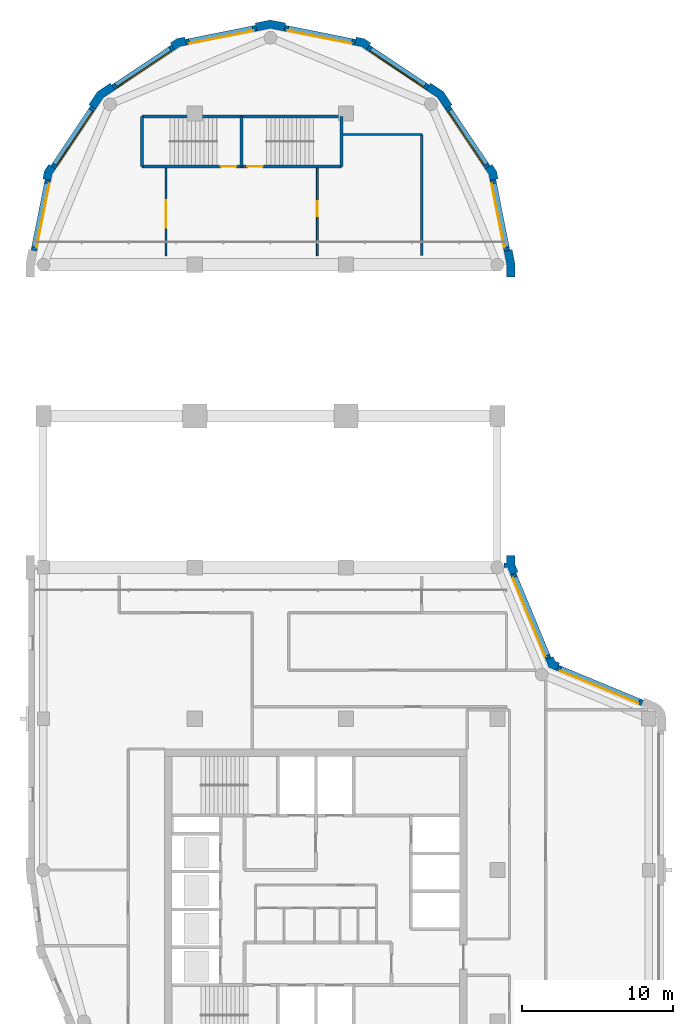
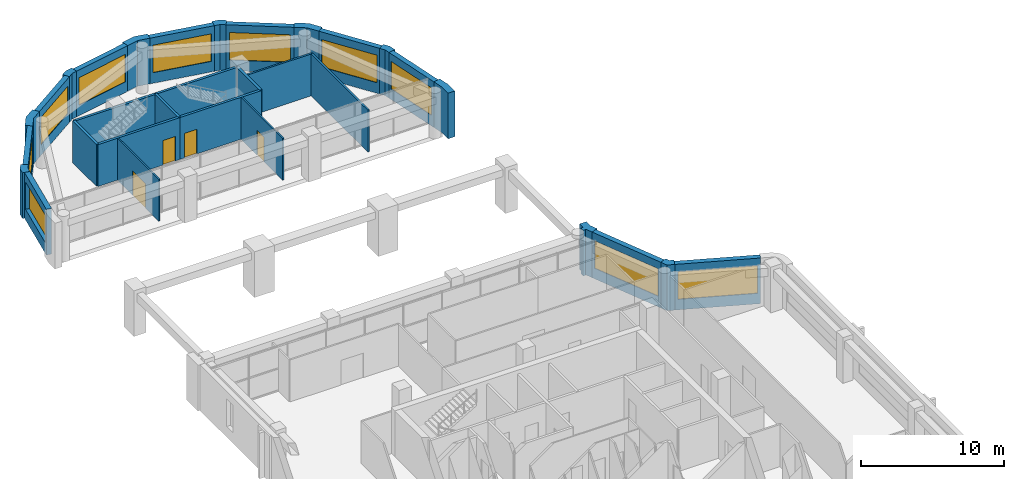
# One storey, part 8 of 11: 31 walls, 10 windows, 4 doors, 14 openings.
"""IFC4 building model written with IfcOpenShell, lengths in metres."""

from ifc_helpers import new_model, si_unit, direction, frame, frame_2d, origin, place, context, subcontext, project, spatial, polyline, rectangle, outline, extrude, material, layer, layer_set, type_object, element, fill, save


model = new_model("IFC4")

# Units and contexts
model_context = context("Model", 3, precision=1e-05, world=origin(), true_north=direction((0.0, 1.0)))
body_context = subcontext(model_context, "Body", "Model", "MODEL_VIEW")
ifc_project = project(units=[si_unit("LENGTHUNIT", "METRE"), si_unit("AREAUNIT", "SQUARE_METRE"), si_unit("VOLUMEUNIT", "CUBIC_METRE"), si_unit("PLANEANGLEUNIT", "RADIAN"), si_unit("MASSUNIT", "GRAM", prefix="KILO")], contexts=[model_context])

# Site, building, storey
site_placement = place(None, origin())
site = spatial("IfcSite", under=ifc_project, at=site_placement, CompositionType="ELEMENT")
building_placement = place(site_placement, origin())
building = spatial("IfcBuilding", under=site, at=building_placement, Name="Qaws Garden Tower", CompositionType="ELEMENT")
storey_placement = place(building_placement, frame((0.0, 0.0, 321.60009765625)))
storey = spatial("IfcBuildingStorey", under=building, at=storey_placement, Name="L78", CompositionType="ELEMENT", Elevation=321.60009765625)

# Wall, opening, window
ifc_material_1 = material(Name="Clay facing brick masonry", Category="masonry")
ifc_layer_1 = layer(ifc_material_1, 0.39990234375)
ifc_layer_set_1 = layer_set([ifc_layer_1], Name="Clay facing brick masonry")
wall_type_1 = type_object("IfcWallType", Name="Brick infill wall 400", PredefinedType="SOLIDWALL", material=ifc_layer_set_1)
wall_1_placement = place(storey_placement, frame((39.56689453125, 31.04541015625, 0.0), z_axis=(0.0, 0.0, 1.0), x_axis=(-0.923891000409, 0.382655745237, 0.0)))
wall_1 = element("IfcWall", 1, at=wall_1_placement, inside=storey, type_object=wall_type_1, Name="E-L78-infill-05", PredefinedType="SOLIDWALL", context=body_context, shape_type="SweptSolid", body=[
    extrude(rectangle(XDim=6.053466796875, YDim=0.39990234375, at=frame_2d((3.02685546875, 0.0))), origin(), (0.0, 0.0, 1.0), 3.89990234375),
])
opening_1_placement = place(wall_1_placement, frame((0.226806640625, 0.0, 0.89990234375)))
opening_1 = element("IfcOpeningElement", 2, at=opening_1_placement, cuts=wall_1, Name="Opening W04", PredefinedType="OPENING", context=body_context, shape_type="SweptSolid", body=[
    extrude(rectangle(XDim=5.60009765625, YDim=2.35009765625, at=frame_2d((2.800048828125, 1.175048828125))), frame((0.0, 0.2099609375, 0.0), z_axis=(0.0, -1.0, 0.0), x_axis=(1.0, 0.0, 0.0)), (0.0, 0.0, 1.0), 0.419921875),
])
ifc_material_2 = material(Name="Aluminium framed window, clear glazing", Category="aluminium")
window_type_1 = type_object("IfcWindowType", Name="Ribbon window 5600 x 2350", PartitioningType="DOUBLE_PANEL_VERTICAL", PredefinedType="WINDOW", material=ifc_material_2)
window_1_placement = place(opening_1_placement, origin())
window_1 = element("IfcWindow", 3, at=window_1_placement, inside=storey, type_object=window_type_1, Name="E-L78-window-05-0", OverallHeight=2.35009765625, OverallWidth=5.60009765625, PartitioningType="SINGLE_PANEL", PredefinedType="WINDOW", context=body_context, shape_type="SweptSolid", body=[
    extrude(rectangle(XDim=5.60009765625, YDim=2.35009765625, at=frame_2d((2.800048828125, 1.175048828125))), frame((0.0, 0.159912109375, 0.0), z_axis=(0.0, -1.0, 0.0), x_axis=(1.0, 0.0, 0.0)), (0.0, 0.0, 1.0), 0.06005859375),
])
fill(opening_1, window_1)

wall_2_placement = place(storey_placement, frame((33.36181640625, 33.97412109375, 0.0), z_axis=(0.0, 0.0, 1.0), x_axis=(-0.382655745237, 0.923891000409, 0.0)))
wall_2 = element("IfcWall", 4, at=wall_2_placement, inside=storey, type_object=wall_type_1, Name="E-L78-infill-06", PredefinedType="SOLIDWALL", context=body_context, shape_type="SweptSolid", body=[
    extrude(rectangle(XDim=6.053466796875, YDim=0.39990234375, at=frame_2d((3.02685546875, 0.0))), origin(), (0.0, 0.0, 1.0), 3.89990234375),
])
opening_2_placement = place(wall_2_placement, frame((0.226806640625, 0.0, 0.89990234375)))
opening_2 = element("IfcOpeningElement", 5, at=opening_2_placement, cuts=wall_2, Name="Opening W04", PredefinedType="OPENING", context=body_context, shape_type="SweptSolid", body=[
    extrude(rectangle(XDim=5.60009765625, YDim=2.35009765625, at=frame_2d((2.800048828125, 1.175048828125))), frame((0.0, 0.2099609375, 0.0), z_axis=(0.0, -1.0, 0.0), x_axis=(1.0, 0.0, 0.0)), (0.0, 0.0, 1.0), 0.419921875),
])
window_2_placement = place(opening_2_placement, origin())
window_2 = element("IfcWindow", 6, at=window_2_placement, inside=storey, type_object=window_type_1, Name="E-L78-window-06-0", OverallHeight=2.35009765625, OverallWidth=5.60009765625, PartitioningType="SINGLE_PANEL", PredefinedType="WINDOW", context=body_context, shape_type="SweptSolid", body=[
    extrude(rectangle(XDim=5.60009765625, YDim=2.35009765625, at=frame_2d((2.800048828125, 1.175048828125))), frame((0.0, 0.159912109375, 0.0), z_axis=(0.0, -1.0, 0.0), x_axis=(1.0, 0.0, 0.0)), (0.0, 0.0, 1.0), 0.06005859375),
])
fill(opening_2, window_2)

wall_3_placement = place(storey_placement, frame((30.628662109375, 60.940673828125, 0.0), z_axis=(0.0, 0.0, 1.0), x_axis=(-0.195098533057, 0.98078364709, 0.0)))
wall_3 = element("IfcWall", 7, at=wall_3_placement, inside=storey, type_object=wall_type_1, Name="E-L78-infill-09", PredefinedType="SOLIDWALL", context=body_context, shape_type="SweptSolid", body=[
    extrude(rectangle(XDim=4.752685546875, YDim=0.39990234375, at=frame_2d((2.37646484375, 0.0))), origin(), (0.0, 0.0, 1.0), 3.89990234375),
])
opening_3_placement = place(wall_3_placement, frame((0.226318359375, 0.0, 0.89990234375)))
opening_3 = element("IfcOpeningElement", 8, at=opening_3_placement, cuts=wall_3, Name="Opening W06", PredefinedType="OPENING", context=body_context, shape_type="SweptSolid", body=[
    extrude(rectangle(XDim=4.300048828125, YDim=2.35009765625, at=frame_2d((2.14990234375, 1.175048828125))), frame((0.0, 0.2099609375, 0.0), z_axis=(0.0, -1.0, 0.0), x_axis=(1.0, 0.0, 0.0)), (0.0, 0.0, 1.0), 0.419921875),
])
ifc_material_3 = material(Name="Aluminium framed window, clear glazing", Category="aluminium")
window_type_2 = type_object("IfcWindowType", Name="Ribbon window 4300 x 2350", PartitioningType="DOUBLE_PANEL_VERTICAL", PredefinedType="WINDOW", material=ifc_material_3)
window_3_placement = place(opening_3_placement, origin())
window_3 = element("IfcWindow", 9, at=window_3_placement, inside=storey, type_object=window_type_2, Name="E-L78-window-09-0", OverallHeight=2.35009765625, OverallWidth=4.300048828125, PartitioningType="SINGLE_PANEL", PredefinedType="WINDOW", context=body_context, shape_type="SweptSolid", body=[
    extrude(rectangle(XDim=4.300048828125, YDim=2.35009765625, at=frame_2d((2.14990234375, 1.175048828125))), frame((0.0, 0.159912109375, 0.0), z_axis=(0.0, -1.0, 0.0), x_axis=(1.0, 0.0, 0.0)), (0.0, 0.0, 1.0), 0.06005859375),
])
fill(opening_3, window_3)

wall_4_placement = place(storey_placement, frame((29.356689453125, 66.43408203125, 0.0), z_axis=(0.0, 0.0, 1.0), x_axis=(-0.555541552266, 0.831488775454, 0.0)))
wall_4 = element("IfcWall", 10, at=wall_4_placement, inside=storey, type_object=wall_type_1, Name="E-L78-infill-10", PredefinedType="SOLIDWALL", context=body_context, shape_type="SweptSolid", body=[
    extrude(rectangle(XDim=4.752685546875, YDim=0.39990234375, at=frame_2d((2.37646484375, 0.0))), origin(), (0.0, 0.0, 1.0), 3.89990234375),
])
opening_4_placement = place(wall_4_placement, frame((0.226318359375, 0.0, 0.89990234375)))
opening_4 = element("IfcOpeningElement", 11, at=opening_4_placement, cuts=wall_4, Name="Opening W06", PredefinedType="OPENING", context=body_context, shape_type="SweptSolid", body=[
    extrude(rectangle(XDim=4.300048828125, YDim=2.35009765625, at=frame_2d((2.14990234375, 1.175048828125))), frame((0.0, 0.2099609375, 0.0), z_axis=(0.0, -1.0, 0.0), x_axis=(1.0, 0.0, 0.0)), (0.0, 0.0, 1.0), 0.419921875),
])
window_4_placement = place(opening_4_placement, origin())
window_4 = element("IfcWindow", 12, at=window_4_placement, inside=storey, type_object=window_type_2, Name="E-L78-window-10-0", OverallHeight=2.35009765625, OverallWidth=4.300048828125, PartitioningType="SINGLE_PANEL", PredefinedType="WINDOW", context=body_context, shape_type="SweptSolid", body=[
    extrude(rectangle(XDim=4.300048828125, YDim=2.35009765625, at=frame_2d((2.14990234375, 1.175048828125))), frame((0.0, 0.159912109375, 0.0), z_axis=(0.0, -1.0, 0.0), x_axis=(1.0, 0.0, 0.0)), (0.0, 0.0, 1.0), 0.06005859375),
])
fill(opening_4, window_4)

wall_5_placement = place(storey_placement, frame((25.385986328125, 71.71630859375, 0.0), z_axis=(0.0, 0.0, 1.0), x_axis=(-0.831488775454, 0.555541552266, 0.0)))
wall_5 = element("IfcWall", 13, at=wall_5_placement, inside=storey, type_object=wall_type_1, Name="E-L78-infill-11", PredefinedType="SOLIDWALL", context=body_context, shape_type="SweptSolid", body=[
    extrude(rectangle(XDim=4.752685546875, YDim=0.39990234375, at=frame_2d((2.37646484375, 0.0))), origin(), (0.0, 0.0, 1.0), 3.89990234375),
])
opening_5_placement = place(wall_5_placement, frame((0.226318359375, 0.0, 0.89990234375)))
opening_5 = element("IfcOpeningElement", 14, at=opening_5_placement, cuts=wall_5, Name="Opening W06", PredefinedType="OPENING", context=body_context, shape_type="SweptSolid", body=[
    extrude(rectangle(XDim=4.300048828125, YDim=2.35009765625, at=frame_2d((2.14990234375, 1.175048828125))), frame((0.0, 0.2099609375, 0.0), z_axis=(0.0, -1.0, 0.0), x_axis=(1.0, 0.0, 0.0)), (0.0, 0.0, 1.0), 0.419921875),
])
window_5_placement = place(opening_5_placement, origin())
window_5 = element("IfcWindow", 15, at=window_5_placement, inside=storey, type_object=window_type_2, Name="E-L78-window-11-0", OverallHeight=2.35009765625, OverallWidth=4.300048828125, PartitioningType="SINGLE_PANEL", PredefinedType="WINDOW", context=body_context, shape_type="SweptSolid", body=[
    extrude(rectangle(XDim=4.300048828125, YDim=2.35009765625, at=frame_2d((2.14990234375, 1.175048828125))), frame((0.0, 0.159912109375, 0.0), z_axis=(0.0, -1.0, 0.0), x_axis=(1.0, 0.0, 0.0)), (0.0, 0.0, 1.0), 0.06005859375),
])
fill(opening_5, window_5)

wall_6_placement = place(storey_placement, frame((20.60205078125, 74.701416015625, 0.0), z_axis=(0.0, 0.0, 1.0), x_axis=(-0.98078364709, 0.195098533057, 0.0)))
wall_6 = element("IfcWall", 16, at=wall_6_placement, inside=storey, type_object=wall_type_1, Name="E-L78-infill-12", PredefinedType="SOLIDWALL", context=body_context, shape_type="SweptSolid", body=[
    extrude(rectangle(XDim=4.752685546875, YDim=0.39990234375, at=frame_2d((2.37646484375, 0.0))), origin(), (0.0, 0.0, 1.0), 3.89990234375),
])
opening_6_placement = place(wall_6_placement, frame((0.226318359375, 0.0, 0.89990234375)))
opening_6 = element("IfcOpeningElement", 17, at=opening_6_placement, cuts=wall_6, Name="Opening W06", PredefinedType="OPENING", context=body_context, shape_type="SweptSolid", body=[
    extrude(rectangle(XDim=4.300048828125, YDim=2.35009765625, at=frame_2d((2.14990234375, 1.175048828125))), frame((0.0, 0.2099609375, 0.0), z_axis=(0.0, -1.0, 0.0), x_axis=(1.0, 0.0, 0.0)), (0.0, 0.0, 1.0), 0.419921875),
])
window_6_placement = place(opening_6_placement, origin())
window_6 = element("IfcWindow", 18, at=window_6_placement, inside=storey, type_object=window_type_2, Name="E-L78-window-12-0", OverallHeight=2.35009765625, OverallWidth=4.300048828125, PartitioningType="SINGLE_PANEL", PredefinedType="WINDOW", context=body_context, shape_type="SweptSolid", body=[
    extrude(rectangle(XDim=4.300048828125, YDim=2.35009765625, at=frame_2d((2.14990234375, 1.175048828125))), frame((0.0, 0.159912109375, 0.0), z_axis=(0.0, -1.0, 0.0), x_axis=(1.0, 0.0, 0.0)), (0.0, 0.0, 1.0), 0.06005859375),
])
fill(opening_6, window_6)

wall_7_placement = place(storey_placement, frame((14.059326171875, 75.628662109375, 0.0), z_axis=(0.0, 0.0, 1.0), x_axis=(-0.98078364709, -0.195098533057, 0.0)))
wall_7 = element("IfcWall", 19, at=wall_7_placement, inside=storey, type_object=wall_type_1, Name="E-L78-infill-13", PredefinedType="SOLIDWALL", context=body_context, shape_type="SweptSolid", body=[
    extrude(rectangle(XDim=4.752685546875, YDim=0.39990234375, at=frame_2d((2.37646484375, 0.0))), origin(), (0.0, 0.0, 1.0), 3.89990234375),
])
opening_7_placement = place(wall_7_placement, frame((0.226318359375, 0.0, 0.89990234375)))
opening_7 = element("IfcOpeningElement", 20, at=opening_7_placement, cuts=wall_7, Name="Opening W06", PredefinedType="OPENING", context=body_context, shape_type="SweptSolid", body=[
    extrude(rectangle(XDim=4.300048828125, YDim=2.35009765625, at=frame_2d((2.14990234375, 1.175048828125))), frame((0.0, 0.2099609375, 0.0), z_axis=(0.0, -1.0, 0.0), x_axis=(1.0, 0.0, 0.0)), (0.0, 0.0, 1.0), 0.419921875),
])
window_7_placement = place(opening_7_placement, origin())
window_7 = element("IfcWindow", 21, at=window_7_placement, inside=storey, type_object=window_type_2, Name="E-L78-window-13-0", OverallHeight=2.35009765625, OverallWidth=4.300048828125, PartitioningType="SINGLE_PANEL", PredefinedType="WINDOW", context=body_context, shape_type="SweptSolid", body=[
    extrude(rectangle(XDim=4.300048828125, YDim=2.35009765625, at=frame_2d((2.14990234375, 1.175048828125))), frame((0.0, 0.159912109375, 0.0), z_axis=(0.0, -1.0, 0.0), x_axis=(1.0, 0.0, 0.0)), (0.0, 0.0, 1.0), 0.06005859375),
])
fill(opening_7, window_7)

wall_8_placement = place(storey_placement, frame((8.56591796875, 74.356689453125, 0.0), z_axis=(0.0, 0.0, 1.0), x_axis=(-0.831488775454, -0.555541552266, 0.0)))
wall_8 = element("IfcWall", 22, at=wall_8_placement, inside=storey, type_object=wall_type_1, Name="E-L78-infill-14", PredefinedType="SOLIDWALL", context=body_context, shape_type="SweptSolid", body=[
    extrude(rectangle(XDim=4.752685546875, YDim=0.39990234375, at=frame_2d((2.37646484375, 0.0))), origin(), (0.0, 0.0, 1.0), 3.89990234375),
])
opening_8_placement = place(wall_8_placement, frame((0.226318359375, 0.0, 0.89990234375)))
opening_8 = element("IfcOpeningElement", 23, at=opening_8_placement, cuts=wall_8, Name="Opening W06", PredefinedType="OPENING", context=body_context, shape_type="SweptSolid", body=[
    extrude(rectangle(XDim=4.300048828125, YDim=2.35009765625, at=frame_2d((2.14990234375, 1.175048828125))), frame((0.0, 0.2099609375, 0.0), z_axis=(0.0, -1.0, 0.0), x_axis=(1.0, 0.0, 0.0)), (0.0, 0.0, 1.0), 0.419921875),
])
window_8_placement = place(opening_8_placement, origin())
window_8 = element("IfcWindow", 24, at=window_8_placement, inside=storey, type_object=window_type_2, Name="E-L78-window-14-0", OverallHeight=2.35009765625, OverallWidth=4.300048828125, PartitioningType="SINGLE_PANEL", PredefinedType="WINDOW", context=body_context, shape_type="SweptSolid", body=[
    extrude(rectangle(XDim=4.300048828125, YDim=2.35009765625, at=frame_2d((2.14990234375, 1.175048828125))), frame((0.0, 0.159912109375, 0.0), z_axis=(0.0, -1.0, 0.0), x_axis=(1.0, 0.0, 0.0)), (0.0, 0.0, 1.0), 0.06005859375),
])
fill(opening_8, window_8)

wall_9_placement = place(storey_placement, frame((3.28369140625, 70.385986328125, 0.0), z_axis=(0.0, 0.0, 1.0), x_axis=(-0.555541552266, -0.831488775454, 0.0)))
wall_9 = element("IfcWall", 25, at=wall_9_placement, inside=storey, type_object=wall_type_1, Name="E-L78-infill-15", PredefinedType="SOLIDWALL", context=body_context, shape_type="SweptSolid", body=[
    extrude(rectangle(XDim=4.752685546875, YDim=0.39990234375, at=frame_2d((2.37646484375, 0.0))), origin(), (0.0, 0.0, 1.0), 3.89990234375),
])
opening_9_placement = place(wall_9_placement, frame((0.226318359375, 0.0, 0.89990234375)))
opening_9 = element("IfcOpeningElement", 26, at=opening_9_placement, cuts=wall_9, Name="Opening W06", PredefinedType="OPENING", context=body_context, shape_type="SweptSolid", body=[
    extrude(rectangle(XDim=4.300048828125, YDim=2.35009765625, at=frame_2d((2.14990234375, 1.175048828125))), frame((0.0, 0.2099609375, 0.0), z_axis=(0.0, -1.0, 0.0), x_axis=(1.0, 0.0, 0.0)), (0.0, 0.0, 1.0), 0.419921875),
])
window_9_placement = place(opening_9_placement, origin())
window_9 = element("IfcWindow", 27, at=window_9_placement, inside=storey, type_object=window_type_2, Name="E-L78-window-15-0", OverallHeight=2.35009765625, OverallWidth=4.300048828125, PartitioningType="SINGLE_PANEL", PredefinedType="WINDOW", context=body_context, shape_type="SweptSolid", body=[
    extrude(rectangle(XDim=4.300048828125, YDim=2.35009765625, at=frame_2d((2.14990234375, 1.175048828125))), frame((0.0, 0.159912109375, 0.0), z_axis=(0.0, -1.0, 0.0), x_axis=(1.0, 0.0, 0.0)), (0.0, 0.0, 1.0), 0.06005859375),
])
fill(opening_9, window_9)

wall_10_placement = place(storey_placement, frame((0.298583984375, 65.60205078125, 0.0), z_axis=(0.0, 0.0, 1.0), x_axis=(-0.195098533057, -0.98078364709, 0.0)))
wall_10 = element("IfcWall", 28, at=wall_10_placement, inside=storey, type_object=wall_type_1, Name="E-L78-infill-16", PredefinedType="SOLIDWALL", context=body_context, shape_type="SweptSolid", body=[
    extrude(rectangle(XDim=4.752685546875, YDim=0.39990234375, at=frame_2d((2.37646484375, 0.0))), origin(), (0.0, 0.0, 1.0), 3.89990234375),
])
opening_10_placement = place(wall_10_placement, frame((0.226318359375, 0.0, 0.89990234375)))
opening_10 = element("IfcOpeningElement", 29, at=opening_10_placement, cuts=wall_10, Name="Opening W06", PredefinedType="OPENING", context=body_context, shape_type="SweptSolid", body=[
    extrude(rectangle(XDim=4.300048828125, YDim=2.35009765625, at=frame_2d((2.14990234375, 1.175048828125))), frame((0.0, 0.2099609375, 0.0), z_axis=(0.0, -1.0, 0.0), x_axis=(1.0, 0.0, 0.0)), (0.0, 0.0, 1.0), 0.419921875),
])
window_10_placement = place(opening_10_placement, origin())
window_10 = element("IfcWindow", 30, at=window_10_placement, inside=storey, type_object=window_type_2, Name="E-L78-window-16-0", OverallHeight=2.35009765625, OverallWidth=4.300048828125, PartitioningType="SINGLE_PANEL", PredefinedType="WINDOW", context=body_context, shape_type="SweptSolid", body=[
    extrude(rectangle(XDim=4.300048828125, YDim=2.35009765625, at=frame_2d((2.14990234375, 1.175048828125))), frame((0.0, 0.159912109375, 0.0), z_axis=(0.0, -1.0, 0.0), x_axis=(1.0, 0.0, 0.0)), (0.0, 0.0, 1.0), 0.06005859375),
])
fill(opening_10, window_10)

# Walls
ifc_material_4 = material(Name="Clay facing brick masonry", Category="masonry")
ifc_layer_2 = layer(ifc_material_4, 0.550048828125)
ifc_layer_set_2 = layer_set([ifc_layer_2], Name="Clay facing brick masonry")
wall_type_2 = type_object("IfcWallType", Name="Brick kink pier 550 x 600", PredefinedType="SOLIDWALL", material=ifc_layer_set_2)
placement = place(storey_placement, origin())
element("IfcWall", 31, at=placement, inside=storey, type_object=wall_type_2, Name="E-L78-pier-10", PredefinedType="SOLIDWALL", context=body_context, shape_type="SweptSolid", body=[
    extrude(outline(polyline([(29.8974609375, 65.64111328125), (30.044677734375, 65.67041015625), (29.94140625, 66.18896484375), (29.647705078125, 66.628662109375), (29.52294921875, 66.545166015625), (29.1904296875, 66.322998046875), (29.42333984375, 65.974365234375), (29.505126953125, 65.56298828125), (29.8974609375, 65.64111328125)])), origin(), (0.0, 0.0, 1.0), 3.89990234375),
])
element("IfcWall", 32, at=placement, inside=storey, type_object=wall_type_2, Name="E-L78-pier-12", PredefinedType="SOLIDWALL", context=body_context, shape_type="SweptSolid", body=[
    extrude(outline(polyline([(21.545166015625, 74.52294921875), (21.628662109375, 74.647705078125), (21.18896484375, 74.94140625), (20.67041015625, 75.044677734375), (20.64111328125, 74.8974609375), (20.56298828125, 74.505126953125), (20.974365234375, 74.42333984375), (21.322998046875, 74.1904296875), (21.545166015625, 74.52294921875)])), origin(), (0.0, 0.0, 1.0), 3.89990234375),
])
element("IfcWall", 33, at=placement, inside=storey, type_object=wall_type_2, Name="E-L78-pier-14", PredefinedType="SOLIDWALL", context=body_context, shape_type="SweptSolid", body=[
    extrude(outline(polyline([(9.35888671875, 74.8974609375), (9.32958984375, 75.044677734375), (8.81103515625, 74.94140625), (8.371337890625, 74.647705078125), (8.454833984375, 74.52294921875), (8.677001953125, 74.1904296875), (9.025634765625, 74.42333984375), (9.43701171875, 74.505126953125), (9.35888671875, 74.8974609375)])), origin(), (0.0, 0.0, 1.0), 3.89990234375),
])
element("IfcWall", 34, at=placement, inside=storey, type_object=wall_type_2, Name="E-L78-pier-16", PredefinedType="SOLIDWALL", context=body_context, shape_type="SweptSolid", body=[
    extrude(outline(polyline([(0.47705078125, 66.545166015625), (0.352294921875, 66.628662109375), (0.05859375, 66.18896484375), (-0.044677734375, 65.67041015625), (0.1025390625, 65.64111328125), (0.494873046875, 65.56298828125), (0.57666015625, 65.974365234375), (0.8095703125, 66.322998046875), (0.47705078125, 66.545166015625)])), origin(), (0.0, 0.0, 1.0), 3.89990234375),
])
ifc_material_5 = material(Name="Clay facing brick masonry", Category="masonry")
ifc_layer_3 = layer(ifc_material_5, 0.550048828125)
ifc_layer_set_3 = layer_set([ifc_layer_3], Name="Clay facing brick masonry")
wall_type_3 = type_object("IfcWallType", Name="Brick pier 550 x 1600", PredefinedType="SOLIDWALL", material=ifc_layer_set_3)
element("IfcWall", 35, at=placement, inside=storey, type_object=wall_type_3, Name="E-L78-pier-06", PredefinedType="SOLIDWALL", context=body_context, shape_type="SweptSolid", body=[
    extrude(outline(polyline([(34.05078125, 33.546630859375), (34.108154296875, 33.685302734375), (33.80908203125, 33.80908203125), (33.685302734375, 34.108154296875), (33.546630859375, 34.05078125), (33.177001953125, 33.897705078125), (33.38818359375, 33.38818359375), (33.897705078125, 33.177001953125), (34.05078125, 33.546630859375)])), origin(), (0.0, 0.0, 1.0), 3.89990234375),
])
element("IfcWall", 36, at=placement, inside=storey, type_object=wall_type_3, Name="E-L78-pier-07", PredefinedType="SOLIDWALL", context=body_context, shape_type="SweptSolid", body=[
    extrude(outline(polyline([(30.6201171875, 39.995361328125), (30.6201171875, 40.071044921875), (30.860595703125, 39.490478515625), (31.22998046875, 39.6435546875), (31.36865234375, 39.700927734375), (31.14990234375, 40.228759765625), (31.14990234375, 40.800048828125), (31.0, 40.800048828125), (30.60009765625, 40.800048828125), (30.60009765625, 40.29541015625), (30.425048828125, 40.29541015625), (30.425048828125, 39.995361328125), (30.6201171875, 39.995361328125)])), origin(), (0.0, 0.0, 1.0), 3.89990234375),
])
element("IfcWall", 37, at=placement, inside=storey, type_object=wall_type_3, Name="E-L78-pier-09", PredefinedType="SOLIDWALL", context=body_context, shape_type="SweptSolid", body=[
    extrude(outline(polyline([(31.0, 59.199951171875), (31.14990234375, 59.199951171875), (31.14990234375, 60.11328125), (30.971923828125, 61.009033203125), (30.82470703125, 60.979736328125), (30.432373046875, 60.901611328125), (30.60009765625, 60.05908203125), (30.60009765625, 59.199951171875), (31.0, 59.199951171875)])), origin(), (0.0, 0.0, 1.0), 3.89990234375),
])
element("IfcWall", 38, at=placement, inside=storey, type_object=wall_type_3, Name="E-L78-pier-11", PredefinedType="SOLIDWALL", context=body_context, shape_type="SweptSolid", body=[
    extrude(outline(polyline([(26.882568359375, 70.4970703125), (27.00732421875, 70.580322265625), (26.435791015625, 71.435791015625), (25.580322265625, 72.00732421875), (25.4970703125, 71.882568359375), (25.274658203125, 71.550048828125), (26.0390625, 71.0390625), (26.550048828125, 70.274658203125), (26.882568359375, 70.4970703125)])), origin(), (0.0, 0.0, 1.0), 3.89990234375),
])
element("IfcWall", 39, at=placement, inside=storey, type_object=wall_type_3, Name="E-L78-pier-13", PredefinedType="SOLIDWALL", context=body_context, shape_type="SweptSolid", body=[
    extrude(outline(polyline([(15.979736328125, 75.82470703125), (16.009033203125, 75.971923828125), (15.0, 76.172607421875), (13.990966796875, 75.971923828125), (14.020263671875, 75.82470703125), (14.098388671875, 75.432373046875), (15.0, 75.61181640625), (15.901611328125, 75.432373046875), (15.979736328125, 75.82470703125)])), origin(), (0.0, 0.0, 1.0), 3.89990234375),
])
element("IfcWall", 40, at=placement, inside=storey, type_object=wall_type_3, Name="E-L78-pier-15", PredefinedType="SOLIDWALL", context=body_context, shape_type="SweptSolid", body=[
    extrude(outline(polyline([(4.5029296875, 71.882568359375), (4.419677734375, 72.00732421875), (3.564208984375, 71.435791015625), (2.99267578125, 70.580322265625), (3.117431640625, 70.4970703125), (3.449951171875, 70.274658203125), (3.9609375, 71.0390625), (4.725341796875, 71.550048828125), (4.5029296875, 71.882568359375)])), origin(), (0.0, 0.0, 1.0), 3.89990234375),
])

# Wall, opening, door
ifc_material_6 = material(Name="Concrete C60", Category="concrete")
ifc_layer_4 = layer(ifc_material_6, 0.199951171875)
ifc_layer_set_4 = layer_set([ifc_layer_4], Name="Concrete C60")
wall_type_4 = type_object("IfcWallType", Name="Core shaft wall 200 C60", PredefinedType="SHEAR", material=ifc_layer_set_4)
wall_21_placement = place(storey_placement, frame((6.5, 66.5, 0.0), z_axis=(0.0, 0.0, 1.0), x_axis=(1.0, 0.0, 0.0)))
wall_21 = element("IfcWall", 41, at=wall_21_placement, inside=storey, type_object=wall_type_4, Name="Shaft wall", PredefinedType="SHEAR", context=body_context, shape_type="SweptSolid", body=[
    extrude(rectangle(XDim=6.60009765625, YDim=0.199951171875, at=frame_2d((3.300048828125, 0.0))), origin(), (0.0, 0.0, 1.0), 3.579833984375),
])
opening_11_placement = place(wall_21_placement, frame((5.22509765625, 0.0, 0.0)))
opening_11 = element("IfcOpeningElement", 42, at=opening_11_placement, cuts=wall_21, Name="Opening SD13", PredefinedType="OPENING", context=body_context, shape_type="SweptSolid", body=[
    extrude(rectangle(XDim=1.0, YDim=2.10009765625, at=frame_2d((0.5, 1.050048828125))), frame((0.0, 0.10986328125, 0.0), z_axis=(0.0, -1.0, 0.0), x_axis=(1.0, 0.0, 0.0)), (0.0, 0.0, 1.0), 0.219970703125),
])
ifc_material_7 = material(Name="Steel S235", Category="steel")
door_type_1 = type_object("IfcDoorType", Name="Stair door 1000x2100", OperationType="SINGLE_SWING_RIGHT", PredefinedType="DOOR", material=ifc_material_7)
door_1_placement = place(opening_11_placement, origin())
door_1 = element("IfcDoor", 43, at=door_1_placement, inside=storey, type_object=door_type_1, Name="Stair 6 door", OperationType="SINGLE_SWING_RIGHT", OverallHeight=2.10009765625, OverallWidth=1.0, PredefinedType="DOOR", context=body_context, shape_type="SweptSolid", body=[
    extrude(rectangle(XDim=1.0, YDim=2.10009765625, at=frame_2d((0.5, 1.050048828125))), frame((0.0, 0.02490234375, 0.0), z_axis=(0.0, -1.0, 0.0), x_axis=(1.0, 0.0, 0.0)), (0.0, 0.0, 1.0), 0.050048828125),
])
fill(opening_11, door_1)

wall_22_placement = place(storey_placement, frame((13.10009765625, 66.5, 0.0), z_axis=(0.0, 0.0, 1.0), x_axis=(1.0, 0.0, 0.0)))
wall_22 = element("IfcWall", 44, at=wall_22_placement, inside=storey, type_object=wall_type_4, Name="Shaft wall", PredefinedType="SHEAR", context=body_context, shape_type="SweptSolid", body=[
    extrude(rectangle(XDim=6.599853515625, YDim=0.199951171875, at=frame_2d((3.2998046875, 0.0))), origin(), (0.0, 0.0, 1.0), 3.579833984375),
])
opening_12_placement = place(wall_22_placement, frame((0.375, 0.0, 0.0)))
opening_12 = element("IfcOpeningElement", 45, at=opening_12_placement, cuts=wall_22, Name="Opening SD14", PredefinedType="OPENING", context=body_context, shape_type="SweptSolid", body=[
    extrude(rectangle(XDim=1.0, YDim=2.10009765625, at=frame_2d((0.5, 1.050048828125))), frame((0.0, 0.10986328125, 0.0), z_axis=(0.0, -1.0, 0.0), x_axis=(1.0, 0.0, 0.0)), (0.0, 0.0, 1.0), 0.219970703125),
])
door_2_placement = place(opening_12_placement, origin())
door_2 = element("IfcDoor", 46, at=door_2_placement, inside=storey, type_object=door_type_1, Name="Stair 7 door", OperationType="SINGLE_SWING_LEFT", OverallHeight=2.10009765625, OverallWidth=1.0, PredefinedType="DOOR", context=body_context, shape_type="SweptSolid", body=[
    extrude(rectangle(XDim=1.0, YDim=2.10009765625, at=frame_2d((0.5, 1.050048828125))), frame((0.0, 0.02490234375, 0.0), z_axis=(0.0, -1.0, 0.0), x_axis=(1.0, 0.0, 0.0)), (0.0, 0.0, 1.0), 0.050048828125),
])
fill(opening_12, door_2)

# Walls
wall_23_placement = place(storey_placement, frame((6.5, 69.800048828125, 0.0), z_axis=(0.0, 0.0, 1.0), x_axis=(1.0, 0.0, 0.0)))
element("IfcWall", 47, at=wall_23_placement, inside=storey, type_object=wall_type_4, Name="Shaft wall", PredefinedType="SHEAR", context=body_context, shape_type="SweptSolid", body=[
    extrude(rectangle(XDim=6.60009765625, YDim=0.199951171875, at=frame_2d((3.300048828125, 0.0))), origin(), (0.0, 0.0, 1.0), 3.579833984375),
])
wall_24_placement = place(storey_placement, frame((13.10009765625, 69.800048828125, 0.0), z_axis=(0.0, 0.0, 1.0), x_axis=(1.0, 0.0, 0.0)))
element("IfcWall", 48, at=wall_24_placement, inside=storey, type_object=wall_type_4, Name="Shaft wall", PredefinedType="SHEAR", context=body_context, shape_type="SweptSolid", body=[
    extrude(rectangle(XDim=6.599853515625, YDim=0.199951171875, at=frame_2d((3.2998046875, 0.0))), origin(), (0.0, 0.0, 1.0), 3.579833984375),
])
for number, where, z_axis, x_axis, name in (
    (49, (6.5, 66.5, 0.0), (0.0, 0.0, 1.0), (0.0, 1.0, 0.0), "Shaft wall"),
    (50, (13.10009765625, 66.5, 0.0), (0.0, 0.0, 1.0), (0.0, 1.0, 0.0), "Shaft wall"),
    (51, (19.699951171875, 66.5, 0.0), (0.0, 0.0, 1.0), (0.0, 1.0, 0.0), "Shaft wall"),
):
    element("IfcWall", number, at=place(storey_placement, frame(where, z_axis=z_axis, x_axis=x_axis)), inside=storey, type_object=wall_type_4, Name=name, PredefinedType="SHEAR", context=body_context, shape_type="SweptSolid", body=[
        extrude(rectangle(XDim=3.300048828125, YDim=0.199951171875, at=frame_2d((1.64990234375, 0.0))), origin(), (0.0, 0.0, 1.0), 3.579833984375),
    ])

# Wall, opening, door
ifc_material_8 = material(Name="Glass and aluminium framing", Category="aluminium")
ifc_layer_5 = layer(ifc_material_8, 0.1201171875)
ifc_layer_set_5 = layer_set([ifc_layer_5], Name="Glass and aluminium framing")
wall_type_5 = type_object("IfcWallType", Name="GLAZED PARTITION 120 EI 30", PredefinedType="PARTITIONING", material=ifc_layer_set_5)
wall_25_placement = place(storey_placement, frame((8.10009765625, 60.60009765625, 0.0), z_axis=(0.0, 0.0, 1.0), x_axis=(0.0, 1.0, 0.0)))
wall_25 = element("IfcWall", 52, at=wall_25_placement, inside=storey, type_object=wall_type_5, Name="O-L78-wall-026", PredefinedType="PARTITIONING", context=body_context, shape_type="SweptSolid", body=[
    extrude(rectangle(XDim=5.7998046875, YDim=0.1201171875, at=frame_2d((2.89990234375, 0.0))), origin(), (0.0, 0.0, 1.0), 3.579833984375),
])
opening_13_placement = place(wall_25_placement, frame((1.85009765625, 0.0, 0.0)))
opening_13 = element("IfcOpeningElement", 53, at=opening_13_placement, cuts=wall_25, Name="Opening C813", PredefinedType="OPENING", context=body_context, shape_type="SweptSolid", body=[
    extrude(rectangle(XDim=1.800048828125, YDim=2.10009765625, at=frame_2d((0.89990234375, 1.050048828125))), frame((0.0, 0.070068359375, 0.0), z_axis=(0.0, -1.0, 0.0), x_axis=(1.0, 0.0, 0.0)), (0.0, 0.0, 1.0), 0.14013671875),
])
ifc_material_9 = material(Name="Timber door leaf", Category="wood")
door_type_2 = type_object("IfcDoorType", Name="DOUBLE DOOR 1800 X 2100", OperationType="DOUBLE_DOOR_SINGLE_SWING", PredefinedType="DOOR", material=ifc_material_9)
door_3_placement = place(opening_13_placement, origin())
door_3 = element("IfcDoor", 54, at=door_3_placement, inside=storey, type_object=door_type_2, Name="O-L78-door-013", OperationType="DOUBLE_DOOR_SINGLE_SWING", OverallHeight=2.10009765625, OverallWidth=1.800048828125, PredefinedType="DOOR", context=body_context, shape_type="SweptSolid", body=[
    extrude(rectangle(XDim=1.800048828125, YDim=2.10009765625, at=frame_2d((0.89990234375, 1.050048828125))), frame((0.0, 0.02490234375, 0.0), z_axis=(0.0, -1.0, 0.0), x_axis=(1.0, 0.0, 0.0)), (0.0, 0.0, 1.0), 0.050048828125),
])
fill(opening_13, door_3)

wall_26_placement = place(storey_placement, frame((18.10009765625, 60.60009765625, 0.0), z_axis=(0.0, 0.0, 1.0), x_axis=(0.0, 1.0, 0.0)))
wall_26 = element("IfcWall", 55, at=wall_26_placement, inside=storey, type_object=wall_type_5, Name="O-L78-wall-029", PredefinedType="PARTITIONING", context=body_context, shape_type="SweptSolid", body=[
    extrude(rectangle(XDim=5.7998046875, YDim=0.1201171875, at=frame_2d((2.89990234375, 0.0))), origin(), (0.0, 0.0, 1.0), 3.579833984375),
])
opening_14_placement = place(wall_26_placement, frame((2.60009765625, 0.0, 0.0)))
opening_14 = element("IfcOpeningElement", 56, at=opening_14_placement, cuts=wall_26, Name="Opening C803", PredefinedType="OPENING", context=body_context, shape_type="SweptSolid", body=[
    extrude(rectangle(XDim=1.0, YDim=2.10009765625, at=frame_2d((0.5, 1.050048828125))), frame((0.0, 0.070068359375, 0.0), z_axis=(0.0, -1.0, 0.0), x_axis=(1.0, 0.0, 0.0)), (0.0, 0.0, 1.0), 0.14013671875),
])
ifc_material_10 = material(Name="Timber door leaf", Category="wood")
door_type_3 = type_object("IfcDoorType", Name="TENANCY ENTRANCE DOOR 1000 X 2100", OperationType="SINGLE_SWING_LEFT", PredefinedType="DOOR", material=ifc_material_10)
door_4_placement = place(opening_14_placement, frame((1.0, 0.0, 0.0), z_axis=(0.0, 0.0, 1.0), x_axis=(-1.0, 0.0, 0.0)))
door_4 = element("IfcDoor", 57, at=door_4_placement, inside=storey, type_object=door_type_3, Name="O-L78-door-003", OperationType="SINGLE_SWING_RIGHT", OverallHeight=2.10009765625, OverallWidth=1.0, PredefinedType="DOOR", context=body_context, shape_type="SweptSolid", body=[
    extrude(rectangle(XDim=1.0, YDim=2.10009765625, at=frame_2d((0.5, 1.050048828125))), frame((0.0, 0.02490234375, 0.0), z_axis=(0.0, -1.0, 0.0), x_axis=(1.0, 0.0, 0.0)), (0.0, 0.0, 1.0), 0.050048828125),
])
fill(opening_14, door_4)

# Walls
ifc_material_11 = material(Name="Gypsum board partition")
ifc_layer_6 = layer(ifc_material_11, 0.14990234375)
ifc_layer_set_6 = layer_set([ifc_layer_6], Name="Gypsum board partition")
wall_type_6 = type_object("IfcWallType", Name="PARTITION 150 EI 60", PredefinedType="PARTITIONING", material=ifc_layer_set_6)
wall_27_placement = place(storey_placement, frame((25.0, 60.60009765625, 0.0), z_axis=(0.0, 0.0, 1.0), x_axis=(0.0, 1.0, 0.0)))
element("IfcWall", 58, at=wall_27_placement, inside=storey, type_object=wall_type_6, Name="O-L78-wall-006", PredefinedType="PARTITIONING", context=body_context, shape_type="SweptSolid", body=[
    extrude(rectangle(XDim=8.0, YDim=0.14990234375, at=frame_2d((4.0, 0.0))), origin(), (0.0, 0.0, 1.0), 3.579833984375),
])
wall_28_placement = place(storey_placement, frame((19.800048828125, 68.60009765625, 0.0), z_axis=(0.0, 0.0, 1.0), x_axis=(1.0, 0.0, 0.0)))
element("IfcWall", 59, at=wall_28_placement, inside=storey, type_object=wall_type_6, Name="O-L78-wall-022", PredefinedType="PARTITIONING", context=body_context, shape_type="SweptSolid", body=[
    extrude(rectangle(XDim=5.199951171875, YDim=0.14990234375, at=frame_2d((2.60009765625, 0.0))), origin(), (0.0, 0.0, 1.0), 3.579833984375),
])

save(model, "model.ifc")
